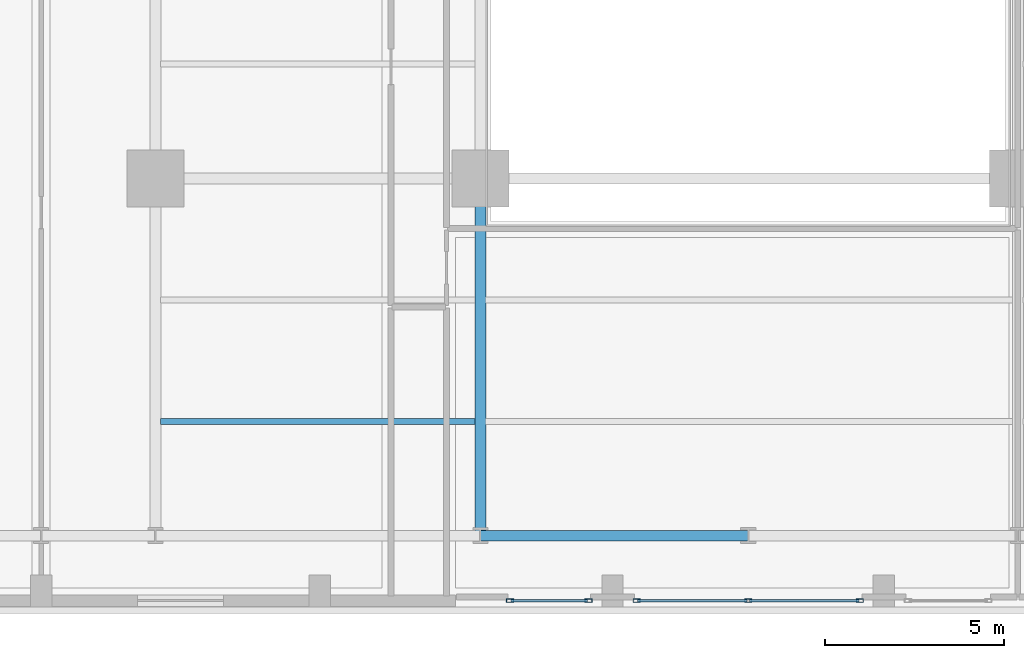
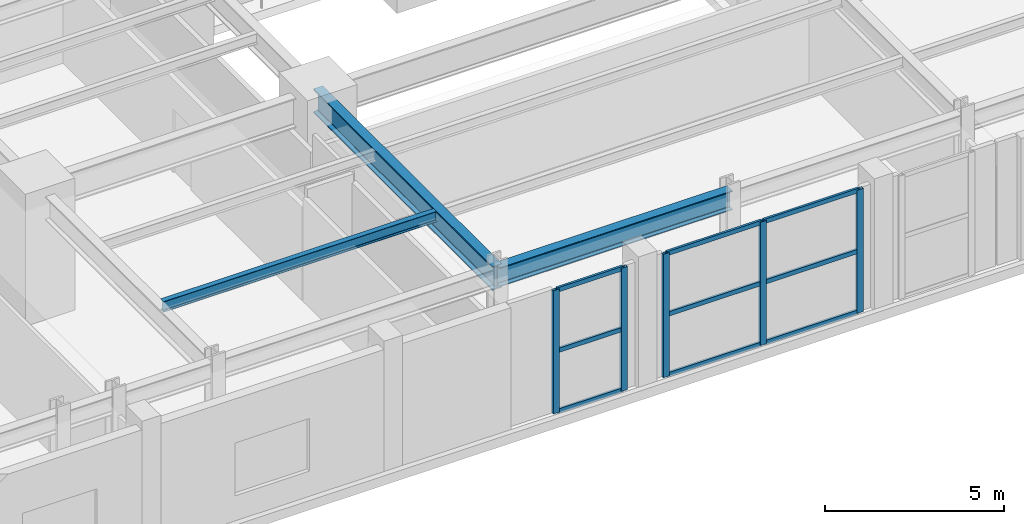
# One storey, part 2 of 14: 14 members, 3 beams, 2 elements without a shape of their own.
"""IFC4 building model written with IfcOpenShell, lengths in metres."""

from ifc_helpers import new_model, si_unit, direction, frame, origin, origin_2d, place, context, subcontext, project, spatial, hollow_rectangle, i_section, extrude, material, layer, layer_set, material_profile, profile_set, type_object, element, aggregate, save


model = new_model("IFC4")

# Units and contexts
model_context = context("Model", 3, precision=1e-05, world=origin(), true_north=direction((0.0, 1.0)))
body_context = subcontext(model_context, "Body", "Model", "MODEL_VIEW")
ifc_project = project(units=[si_unit("LENGTHUNIT", "METRE"), si_unit("AREAUNIT", "SQUARE_METRE"), si_unit("VOLUMEUNIT", "CUBIC_METRE"), si_unit("PLANEANGLEUNIT", "RADIAN"), si_unit("MASSUNIT", "GRAM", prefix="KILO")], contexts=[model_context])

# Site, building, storey
site_placement = place(None, origin())
site = spatial("IfcSite", under=ifc_project, at=site_placement, CompositionType="ELEMENT")
building_placement = place(site_placement, origin())
building = spatial("IfcBuilding", under=site, at=building_placement, Name="Zarnavel Station Tower", CompositionType="ELEMENT")
storey_placement = place(building_placement, frame((0.0, 0.0, 10.39990234375)))
storey = spatial("IfcBuildingStorey", under=building, at=storey_placement, Name="L03", CompositionType="ELEMENT", Elevation=10.39990234375)

# Curtain wall, members
ifc_material_1 = material(Name="Aluminium Dark Anodised and Solar-Control Glass", Category="aluminium")
ifc_layer = layer(ifc_material_1, 0.179931640625)
ifc_layer_set = layer_set([ifc_layer], Name="CWS1")
curtain_wall_type = type_object("IfcCurtainWallType", Name="CWS1", PredefinedType="NOTDEFINED", material=ifc_layer_set)
curtain_wall_1_placement = place(storey_placement, origin())
curtain_wall_1 = element("IfcCurtainWall", 1, at=curtain_wall_1_placement, inside=storey, type_object=curtain_wall_type, Name="L03 Curtain Wall CWS1-L03-S-S1", PredefinedType="NOTDEFINED")
ifc_material_2 = material(Name="Steel S355J2 (Black Fluoropolymer Coated)", Category="steel")
ifc_material_profile_1 = material_profile(ifc_material_2, hollow_rectangle(XDim=0.10009765625, YDim=0.199951171875, WallThickness=0.008056640625, at=origin_2d()), Name="RHS200x100x8")
ifc_profile_set_1 = profile_set([ifc_material_profile_1], Name="Steel S355J2 (Black Fluoropolymer Coated)")
member_type_1 = type_object("IfcMemberType", Name="CWS1_MUL", PredefinedType="MULLION", material=ifc_profile_set_1)
member_1_placement = place(storey_placement, frame((22.1298828125, 3.780029296875, 0.0), z_axis=(0.0, 0.0, 1.0), x_axis=(0.0, 1.0, 0.0)))
member_1 = element("IfcMember", 2, at=member_1_placement, type_object=member_type_1, Name="CW1 mullion 1", PredefinedType="MULLION", context=body_context, shape_type="SweptSolid", body=[
    extrude(hollow_rectangle(XDim=0.10009765625, YDim=0.199951171875, WallThickness=0.008056640625, at=origin_2d()), origin(), (0.0, 0.0, 1.0), 4.2001953125),
])
member_2_placement = place(storey_placement, frame((24.325927734375, 3.780029296875, 0.0), z_axis=(0.0, 0.0, 1.0), x_axis=(0.0, 1.0, 0.0)))
member_2 = element("IfcMember", 3, at=member_2_placement, type_object=member_type_1, Name="CW1 mullion 2", PredefinedType="MULLION", context=body_context, shape_type="SweptSolid", body=[
    extrude(hollow_rectangle(XDim=0.10009765625, YDim=0.199951171875, WallThickness=0.008056640625, at=origin_2d()), origin(), (0.0, 0.0, 1.0), 4.2001953125),
])

curtain_wall_2_placement = place(storey_placement, origin())
curtain_wall_2 = element("IfcCurtainWall", 4, at=curtain_wall_2_placement, inside=storey, type_object=curtain_wall_type, Name="L03 Curtain Wall CWS1-L03-S-S2", PredefinedType="NOTDEFINED")
member_3_placement = place(storey_placement, frame((25.674072265625, 3.780029296875, 0.0), z_axis=(0.0, 0.0, 1.0), x_axis=(0.0, 1.0, 0.0)))
member_3 = element("IfcMember", 5, at=member_3_placement, type_object=member_type_1, Name="CW1 mullion 1", PredefinedType="MULLION", context=body_context, shape_type="SweptSolid", body=[
    extrude(hollow_rectangle(XDim=0.10009765625, YDim=0.199951171875, WallThickness=0.008056640625, at=origin_2d()), origin(), (0.0, 0.0, 1.0), 4.2001953125),
])
member_4_placement = place(storey_placement, frame((28.800048828125, 3.780029296875, 0.0), z_axis=(0.0, 0.0, 1.0), x_axis=(0.0, 1.0, 0.0)))
member_4 = element("IfcMember", 6, at=member_4_placement, type_object=member_type_1, Name="CW1 mullion 2", PredefinedType="MULLION", context=body_context, shape_type="SweptSolid", body=[
    extrude(hollow_rectangle(XDim=0.10009765625, YDim=0.199951171875, WallThickness=0.008056640625, at=origin_2d()), origin(), (0.0, 0.0, 1.0), 4.2001953125),
])
member_5_placement = place(storey_placement, frame((31.926025390625, 3.780029296875, 0.0), z_axis=(0.0, 0.0, 1.0), x_axis=(0.0, 1.0, 0.0)))
member_5 = element("IfcMember", 7, at=member_5_placement, type_object=member_type_1, Name="CW1 mullion 3", PredefinedType="MULLION", context=body_context, shape_type="SweptSolid", body=[
    extrude(hollow_rectangle(XDim=0.10009765625, YDim=0.199951171875, WallThickness=0.008056640625, at=origin_2d()), origin(), (0.0, 0.0, 1.0), 4.2001953125),
])

# Member
ifc_material_3 = material(Name="Steel S355J2 (Black Fluoropolymer Coated)", Category="steel")
ifc_material_profile_2 = material_profile(ifc_material_3, hollow_rectangle(XDim=0.074951171875, YDim=0.14990234375, WallThickness=0.00634765625, at=origin_2d()), Name="RHS150x75x6.3")
ifc_profile_set_2 = profile_set([ifc_material_profile_2], Name="Steel S355J2 (Black Fluoropolymer Coated)")
member_type_2 = type_object("IfcMemberType", Name="CWS1_TRN", PredefinedType="USERDEFINED", material=ifc_profile_set_2)
member_6_placement = place(storey_placement, frame((22.159912109375, 3.780029296875, 0.030029296875), z_axis=(1.0, 0.0, 0.0), x_axis=(0.0, 1.0, 0.0)))
member_6 = element("IfcMember", 8, at=member_6_placement, type_object=member_type_2, Name="CW1 transom 1.1", ObjectType="TRANSOM", PredefinedType="USERDEFINED", context=body_context, shape_type="SweptSolid", body=[
    extrude(hollow_rectangle(XDim=0.074951171875, YDim=0.14990234375, WallThickness=0.00634765625, at=origin_2d()), origin(), (0.0, 0.0, 1.0), 2.135986328125),
])

member_7_placement = place(storey_placement, frame((22.159912109375, 3.780029296875, 2.10009765625), z_axis=(1.0, 0.0, 0.0), x_axis=(0.0, 1.0, 0.0)))
member_7 = element("IfcMember", 9, at=member_7_placement, type_object=member_type_2, Name="CW1 transom 1.2", ObjectType="TRANSOM", PredefinedType="USERDEFINED", context=body_context, shape_type="SweptSolid", body=[
    extrude(hollow_rectangle(XDim=0.074951171875, YDim=0.14990234375, WallThickness=0.00634765625, at=origin_2d()), origin(), (0.0, 0.0, 1.0), 2.135986328125),
])

member_8_placement = place(storey_placement, frame((22.159912109375, 3.780029296875, 4.170166015625), z_axis=(1.0, 0.0, 0.0), x_axis=(0.0, 1.0, 0.0)))
member_8 = element("IfcMember", 10, at=member_8_placement, type_object=member_type_2, Name="CW1 transom 1.3", ObjectType="TRANSOM", PredefinedType="USERDEFINED", context=body_context, shape_type="SweptSolid", body=[
    extrude(hollow_rectangle(XDim=0.074951171875, YDim=0.14990234375, WallThickness=0.00634765625, at=origin_2d()), origin(), (0.0, 0.0, 1.0), 2.135986328125),
])

aggregate(curtain_wall_1, [member_1, member_2, member_6, member_7, member_8])

member_9_placement = place(storey_placement, frame((25.7041015625, 3.780029296875, 0.030029296875), z_axis=(1.0, 0.0, 0.0), x_axis=(0.0, 1.0, 0.0)))
member_9 = element("IfcMember", 11, at=member_9_placement, type_object=member_type_2, Name="CW1 transom 1.1", ObjectType="TRANSOM", PredefinedType="USERDEFINED", context=body_context, shape_type="SweptSolid", body=[
    extrude(hollow_rectangle(XDim=0.074951171875, YDim=0.14990234375, WallThickness=0.00634765625, at=origin_2d()), origin(), (0.0, 0.0, 1.0), 3.06591796875),
])

member_10_placement = place(storey_placement, frame((25.7041015625, 3.780029296875, 2.10009765625), z_axis=(1.0, 0.0, 0.0), x_axis=(0.0, 1.0, 0.0)))
member_10 = element("IfcMember", 12, at=member_10_placement, type_object=member_type_2, Name="CW1 transom 1.2", ObjectType="TRANSOM", PredefinedType="USERDEFINED", context=body_context, shape_type="SweptSolid", body=[
    extrude(hollow_rectangle(XDim=0.074951171875, YDim=0.14990234375, WallThickness=0.00634765625, at=origin_2d()), origin(), (0.0, 0.0, 1.0), 3.06591796875),
])

member_11_placement = place(storey_placement, frame((25.7041015625, 3.780029296875, 4.170166015625), z_axis=(1.0, 0.0, 0.0), x_axis=(0.0, 1.0, 0.0)))
member_11 = element("IfcMember", 13, at=member_11_placement, type_object=member_type_2, Name="CW1 transom 1.3", ObjectType="TRANSOM", PredefinedType="USERDEFINED", context=body_context, shape_type="SweptSolid", body=[
    extrude(hollow_rectangle(XDim=0.074951171875, YDim=0.14990234375, WallThickness=0.00634765625, at=origin_2d()), origin(), (0.0, 0.0, 1.0), 3.06591796875),
])

member_12_placement = place(storey_placement, frame((28.830078125, 3.780029296875, 0.030029296875), z_axis=(1.0, 0.0, 0.0), x_axis=(0.0, 1.0, 0.0)))
member_12 = element("IfcMember", 14, at=member_12_placement, type_object=member_type_2, Name="CW1 transom 2.1", ObjectType="TRANSOM", PredefinedType="USERDEFINED", context=body_context, shape_type="SweptSolid", body=[
    extrude(hollow_rectangle(XDim=0.074951171875, YDim=0.14990234375, WallThickness=0.00634765625, at=origin_2d()), origin(), (0.0, 0.0, 1.0), 3.06591796875),
])

member_13_placement = place(storey_placement, frame((28.830078125, 3.780029296875, 2.10009765625), z_axis=(1.0, 0.0, 0.0), x_axis=(0.0, 1.0, 0.0)))
member_13 = element("IfcMember", 15, at=member_13_placement, type_object=member_type_2, Name="CW1 transom 2.2", ObjectType="TRANSOM", PredefinedType="USERDEFINED", context=body_context, shape_type="SweptSolid", body=[
    extrude(hollow_rectangle(XDim=0.074951171875, YDim=0.14990234375, WallThickness=0.00634765625, at=origin_2d()), origin(), (0.0, 0.0, 1.0), 3.06591796875),
])

member_14_placement = place(storey_placement, frame((28.830078125, 3.780029296875, 4.170166015625), z_axis=(1.0, 0.0, 0.0), x_axis=(0.0, 1.0, 0.0)))
member_14 = element("IfcMember", 16, at=member_14_placement, type_object=member_type_2, Name="CW1 transom 2.3", ObjectType="TRANSOM", PredefinedType="USERDEFINED", context=body_context, shape_type="SweptSolid", body=[
    extrude(hollow_rectangle(XDim=0.074951171875, YDim=0.14990234375, WallThickness=0.00634765625, at=origin_2d()), origin(), (0.0, 0.0, 1.0), 3.06591796875),
])

aggregate(curtain_wall_2, [member_3, member_4, member_5, member_9, member_10, member_11, member_12, member_13, member_14])

# Beams
ifc_material_4 = material(Name="Steel S355J2", Category="steel")
ifc_material_profile_3 = material_profile(ifc_material_4, i_section(OverallWidth=0.300048828125, OverallDepth=0.64990234375, WebThickness=0.01611328125, FlangeThickness=0.031005859375, FilletRadius=0.027099609375, at=origin_2d()), Name="HEB650")
ifc_profile_set_3 = profile_set([ifc_material_profile_3], Name="Steel S355J2")
beam_type_1 = type_object("IfcBeamType", Name="FG_HEB650", PredefinedType="USERDEFINED", material=ifc_profile_set_3)
beam_1_placement = place(storey_placement, frame((21.300048828125, 5.60009765625, 3.875), z_axis=(1.0, 0.0, 0.0), x_axis=(0.0, 1.0, 0.0)))
element("IfcBeam", 17, at=beam_1_placement, inside=storey, type_object=beam_type_1, Name="L03 EW Frame Girder 1-5", ObjectType="GIRDER", PredefinedType="USERDEFINED", context=body_context, shape_type="SweptSolid", body=[
    extrude(i_section(OverallWidth=0.300048828125, OverallDepth=0.64990234375, WebThickness=0.01611328125, FlangeThickness=0.031005859375, FilletRadius=0.027099609375, at=origin_2d()), origin(), (0.0, 0.0, 1.0), 7.5),
])
ifc_material_5 = material(Name="Steel S460M", Category="steel")
ifc_material_profile_4 = material_profile(ifc_material_5, i_section(OverallWidth=0.302978515625, OverallDepth=0.81396484375, WebThickness=0.02099609375, FlangeThickness=0.0400390625, FilletRadius=0.030029296875, at=origin_2d()), Name="HEM800")
ifc_profile_set_4 = profile_set([ifc_material_profile_4], Name="Steel S460M")
beam_type_2 = type_object("IfcBeamType", Name="FG_HEM800", PredefinedType="USERDEFINED", material=ifc_profile_set_4)
beam_2_placement = place(storey_placement, frame((21.300048828125, 5.60009765625, 3.793212890625), z_axis=(0.0, 1.0, 0.0), x_axis=(-1.0, 0.0, 0.0)))
element("IfcBeam", 18, at=beam_2_placement, inside=storey, type_object=beam_type_2, Name="L03 NS Girder South 2", ObjectType="GIRDER", PredefinedType="USERDEFINED", context=body_context, shape_type="SweptSolid", body=[
    extrude(i_section(OverallWidth=0.302978515625, OverallDepth=0.81396484375, WebThickness=0.02099609375, FlangeThickness=0.0400390625, FilletRadius=0.030029296875, at=origin_2d()), origin(), (0.0, 0.0, 1.0), 10.0),
])
ifc_material_6 = material(Name="Steel S355J2", Category="steel")
ifc_material_profile_5 = material_profile(ifc_material_6, i_section(OverallWidth=0.169921875, OverallDepth=0.360107421875, WebThickness=0.008056640625, FlangeThickness=0.0126953125, FilletRadius=0.01806640625, at=origin_2d()), Name="IPE360")
ifc_profile_set_5 = profile_set([ifc_material_profile_5], Name="Steel S355J2")
beam_type_3 = type_object("IfcBeamType", Name="FJ_IPE360", PredefinedType="JOIST", material=ifc_profile_set_5)
beam_3_placement = place(storey_placement, frame((12.344970703125, 8.800048828125, 4.02001953125), z_axis=(1.0, 0.0, 0.0), x_axis=(0.0, 1.0, 0.0)))
element("IfcBeam", 19, at=beam_3_placement, inside=storey, type_object=beam_type_3, Name="L03 Floor Joist W1", PredefinedType="JOIST", context=body_context, shape_type="SweptSolid", body=[
    extrude(i_section(OverallWidth=0.169921875, OverallDepth=0.360107421875, WebThickness=0.008056640625, FlangeThickness=0.0126953125, FilletRadius=0.01806640625, at=origin_2d()), origin(), (0.0, 0.0, 1.0), 8.81005859375),
])

save(model, "model.ifc")
